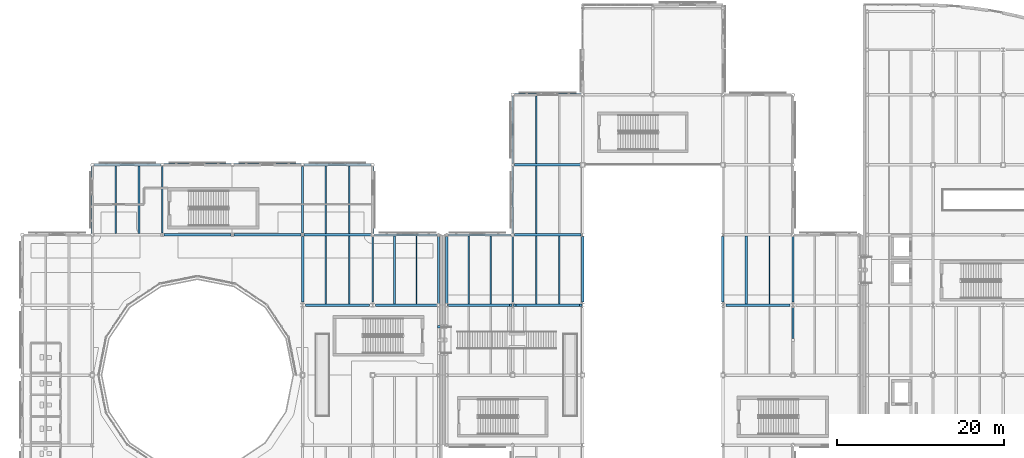
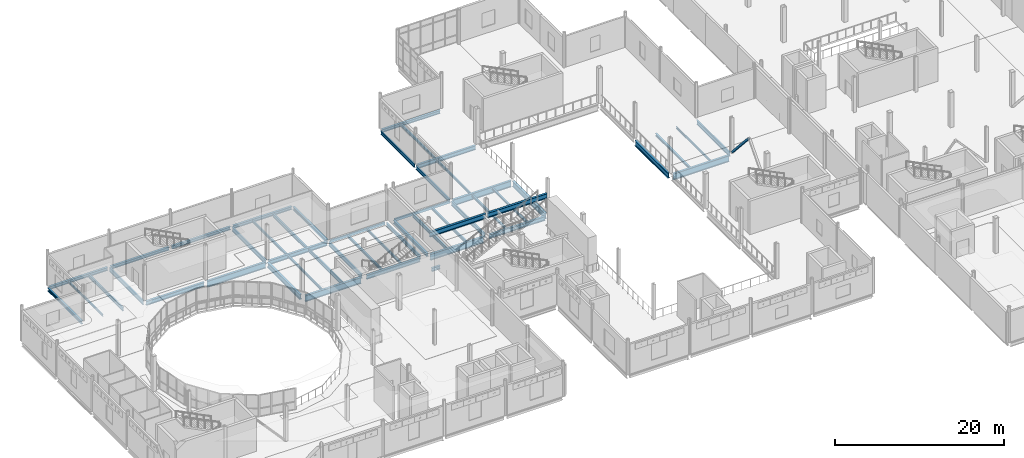
# One storey, part 30 of 104: 50 beams, 1 member.
"""IFC4 building model written with IfcOpenShell, lengths in metres."""

from ifc_helpers import new_model, si_unit, direction, frame, origin, origin_2d, place, context, subcontext, project, spatial, hollow_rectangle, i_section, extrude, material, material_profile, profile_set, type_object, element, save


model = new_model("IFC4")

# Units and contexts
model_context = context("Model", 3, precision=1e-05, world=origin(), true_north=direction((0.0, 1.0)))
body_context = subcontext(model_context, "Body", "Model", "MODEL_VIEW")
ifc_project = project(units=[si_unit("LENGTHUNIT", "METRE"), si_unit("AREAUNIT", "SQUARE_METRE"), si_unit("VOLUMEUNIT", "CUBIC_METRE"), si_unit("PLANEANGLEUNIT", "RADIAN"), si_unit("MASSUNIT", "GRAM", prefix="KILO"), si_unit("THERMODYNAMICTEMPERATUREUNIT", "KELVIN")], contexts=[model_context])

# Site, building, storey
site_placement = place(None, origin())
site = spatial("IfcSite", under=ifc_project, at=site_placement, CompositionType="ELEMENT")
building_placement = place(site_placement, origin())
building = spatial("IfcBuilding", under=site, at=building_placement, Name="Lustrewick Department Store", CompositionType="ELEMENT")
storey_placement = place(building_placement, frame((0.0, 0.0, 11.39990234375)))
storey = spatial("IfcBuildingStorey", under=building, at=storey_placement, Name="L03", CompositionType="ELEMENT", Elevation=11.39990234375)

# Beams
ifc_material_1 = material(Name="Structural steel Q355B", Category="steel")
ifc_material_profile_1 = material_profile(ifc_material_1, i_section(OverallWidth=0.199951171875, OverallDepth=0.5, WebThickness=0.010009765625, FlangeThickness=0.01611328125, FilletRadius=0.01611328125, at=origin_2d()), Name="HN 500x200x10x16")
ifc_profile_set_1 = profile_set([ifc_material_profile_1], Name="Structural steel Q355B")
beam_type_1 = type_object("IfcBeamType", Name="B01", PredefinedType="JOIST", material=ifc_profile_set_1)
beam_1_placement = place(storey_placement, frame((47.60009765625, 75.75, -0.5048828125), z_axis=(0.0, 1.0, 0.0), x_axis=(-1.0, 0.0, 0.0)))
element("IfcBeam", 1, at=beam_1_placement, inside=storey, type_object=beam_type_1, Name="L03 V1 Secondary Joist B01", PredefinedType="JOIST", context=body_context, shape_type="SweptSolid", body=[
    extrude(i_section(OverallWidth=0.199951171875, OverallDepth=0.5, WebThickness=0.010009765625, FlangeThickness=0.01611328125, FilletRadius=0.01611328125, at=origin_2d()), origin(), (0.0, 0.0, 1.0), 8.09912109375),
])
beam_2_placement = place(storey_placement, frame((22.39990234375, 84.14990234375, -0.5048828125), z_axis=(0.0, 1.0, 0.0), x_axis=(-1.0, 0.0, 0.0)))
element("IfcBeam", 2, at=beam_2_placement, inside=storey, type_object=beam_type_1, Name="L03 V1 Secondary Joist B01", PredefinedType="JOIST", context=body_context, shape_type="SweptSolid", body=[
    extrude(i_section(OverallWidth=0.199951171875, OverallDepth=0.5, WebThickness=0.010009765625, FlangeThickness=0.01611328125, FilletRadius=0.01611328125, at=origin_2d()), origin(), (0.0, 0.0, 1.0), 8.10009765625),
])
beam_3_placement = place(storey_placement, frame((47.60009765625, 84.15087890625, -0.5048828125), z_axis=(0.0, 1.0, 0.0), x_axis=(-1.0, 0.0, 0.0)))
element("IfcBeam", 3, at=beam_3_placement, inside=storey, type_object=beam_type_1, Name="L03 V1 Secondary Joist B01", PredefinedType="JOIST", context=body_context, shape_type="SweptSolid", body=[
    extrude(i_section(OverallWidth=0.199951171875, OverallDepth=0.5, WebThickness=0.010009765625, FlangeThickness=0.01611328125, FilletRadius=0.01611328125, at=origin_2d()), origin(), (0.0, 0.0, 1.0), 8.09912109375),
])
beam_4_placement = place(storey_placement, frame((61.933349609375, 75.75, -0.5048828125), z_axis=(0.0, 1.0, 0.0), x_axis=(-1.0, 0.0, 0.0)))
element("IfcBeam", 4, at=beam_4_placement, inside=storey, type_object=beam_type_1, Name="L03 V2 Secondary Joist B01", PredefinedType="JOIST", context=body_context, shape_type="SweptSolid", body=[
    extrude(i_section(OverallWidth=0.199951171875, OverallDepth=0.5, WebThickness=0.010009765625, FlangeThickness=0.01611328125, FilletRadius=0.01611328125, at=origin_2d()), origin(), (0.0, 0.0, 1.0), 8.14990234375),
])
ifc_material_profile_2 = material_profile(ifc_material_1, i_section(OverallWidth=0.199951171875, OverallDepth=0.39990234375, WebThickness=0.008056640625, FlangeThickness=0.012939453125, FilletRadius=0.013916015625, at=origin_2d()), Name="HN 400x200x8x13")
ifc_profile_set_2 = profile_set([ifc_material_profile_2], Name="Structural steel Q355B")
beam_type_2 = type_object("IfcBeamType", Name="B05", PredefinedType="JOIST", material=ifc_profile_set_2)
beam_5_placement = place(storey_placement, frame((53.033203125, 75.7509765625, -0.454833984375), z_axis=(0.0, 1.0, 0.0), x_axis=(-1.0, 0.0, 0.0)))
element("IfcBeam", 5, at=beam_5_placement, inside=storey, type_object=beam_type_2, Name="L03 V1 Secondary Joist B05", PredefinedType="JOIST", context=body_context, shape_type="SweptSolid", body=[
    extrude(i_section(OverallWidth=0.199951171875, OverallDepth=0.39990234375, WebThickness=0.008056640625, FlangeThickness=0.012939453125, FilletRadius=0.013916015625, at=origin_2d()), origin(), (0.0, 0.0, 1.0), 8.14892578125),
])
beam_6_placement = place(storey_placement, frame((64.566650390625, 75.75, -0.454833984375), z_axis=(0.0, 1.0, 0.0), x_axis=(-1.0, 0.0, 0.0)))
element("IfcBeam", 6, at=beam_6_placement, inside=storey, type_object=beam_type_2, Name="L03 V2 Secondary Joist B05", PredefinedType="JOIST", context=body_context, shape_type="SweptSolid", body=[
    extrude(i_section(OverallWidth=0.199951171875, OverallDepth=0.39990234375, WebThickness=0.008056640625, FlangeThickness=0.012939453125, FilletRadius=0.013916015625, at=origin_2d()), origin(), (0.0, 0.0, 1.0), 8.14990234375),
])
ifc_material_profile_3 = material_profile(ifc_material_1, i_section(OverallWidth=0.25, OverallDepth=0.340087890625, WebThickness=0.009033203125, FlangeThickness=0.013916015625, FilletRadius=0.01611328125, at=origin_2d()), Name="HM 340x250x9x14")
ifc_profile_set_3 = profile_set([ifc_material_profile_3], Name="Structural steel Q355B")
beam_type_3 = type_object("IfcBeamType", Name="B08", PredefinedType="JOIST", material=ifc_profile_set_3)
beam_7_placement = place(storey_placement, frame((95.199951171875, 75.7509765625, -0.4248046875), z_axis=(0.0, 1.0, 0.0), x_axis=(-1.0, 0.0, 0.0)))
element("IfcBeam", 7, at=beam_7_placement, inside=storey, type_object=beam_type_3, Name="L03 V2 Secondary Joist B08", PredefinedType="JOIST", context=body_context, shape_type="SweptSolid", body=[
    extrude(i_section(OverallWidth=0.25, OverallDepth=0.340087890625, WebThickness=0.009033203125, FlangeThickness=0.013916015625, FilletRadius=0.01611328125, at=origin_2d()), origin(), (0.0, 0.0, 1.0), 8.09912109375),
])
ifc_material_profile_4 = material_profile(ifc_material_1, i_section(OverallWidth=0.175048828125, OverallDepth=0.35009765625, WebThickness=0.007080078125, FlangeThickness=0.010986328125, FilletRadius=0.012939453125, at=origin_2d()), Name="HN 350x175x7x11")
ifc_profile_set_4 = profile_set([ifc_material_profile_4], Name="Structural steel Q355B")
beam_type_4 = type_object("IfcBeamType", Name="B09", PredefinedType="JOIST", material=ifc_profile_set_4)
beam_8_placement = place(storey_placement, frame((55.666748046875, 75.7509765625, -0.429931640625), z_axis=(0.0, 1.0, 0.0), x_axis=(-1.0, 0.0, 0.0)))
element("IfcBeam", 8, at=beam_8_placement, inside=storey, type_object=beam_type_4, Name="L03 V1 Secondary Joist B09", PredefinedType="JOIST", context=body_context, shape_type="SweptSolid", body=[
    extrude(i_section(OverallWidth=0.175048828125, OverallDepth=0.35009765625, WebThickness=0.007080078125, FlangeThickness=0.010986328125, FilletRadius=0.012939453125, at=origin_2d()), origin(), (0.0, 0.0, 1.0), 8.14892578125),
])
for number, where, z_axis, x_axis, name in (
    (9, (70.0, 75.7509765625, -0.429931640625), (0.0, 1.0, 0.0), (-1.0, 0.0, 0.0), "L03 V2 Secondary Joist B09"),
    (10, (70.0, 84.15087890625, -0.429931640625), (0.0, 1.0, 0.0), (-1.0, 0.0, 0.0), "L03 V2 Secondary Joist B09"),
):
    element("IfcBeam", number, at=place(storey_placement, frame(where, z_axis=z_axis, x_axis=x_axis)), inside=storey, type_object=beam_type_4, Name=name, PredefinedType="JOIST", context=body_context, shape_type="SweptSolid", body=[
        extrude(i_section(OverallWidth=0.175048828125, OverallDepth=0.35009765625, WebThickness=0.007080078125, FlangeThickness=0.010986328125, FilletRadius=0.012939453125, at=origin_2d()), origin(), (0.0, 0.0, 1.0), 8.09814453125),
    ])
beam_9_placement = place(storey_placement, frame((70.0, 92.551025390625, -0.429931640625), z_axis=(0.0, 1.0, 0.0), x_axis=(-1.0, 0.0, 0.0)))
element("IfcBeam", 11, at=beam_9_placement, inside=storey, type_object=beam_type_4, Name="L03 V2 Secondary Joist B09", PredefinedType="JOIST", context=body_context, shape_type="SweptSolid", body=[
    extrude(i_section(OverallWidth=0.175048828125, OverallDepth=0.35009765625, WebThickness=0.007080078125, FlangeThickness=0.010986328125, FilletRadius=0.012939453125, at=origin_2d()), origin(), (0.0, 0.0, 1.0), 8.098876953125),
])
ifc_material_profile_5 = material_profile(ifc_material_1, i_section(OverallWidth=0.174072265625, OverallDepth=0.345947265625, WebThickness=0.006103515625, FlangeThickness=0.009033203125, FilletRadius=0.012939453125, at=origin_2d()), Name="HN 346x174x6x9")
ifc_profile_set_5 = profile_set([ifc_material_profile_5], Name="Structural steel Q355B")
beam_type_5 = type_object("IfcBeamType", Name="B10", PredefinedType="JOIST", material=ifc_profile_set_5)
for number, where, z_axis, x_axis, name in (
    (12, (44.800048828125, 75.75, -0.427978515625), (0.0, 1.0, 0.0), (-1.0, 0.0, 0.0), "L03 V1 Secondary Joist B10"),
    (13, (44.800048828125, 84.15087890625, -0.427978515625), (0.0, 1.0, 0.0), (-1.0, 0.0, 0.0), "L03 V1 Secondary Joist B10"),
):
    element("IfcBeam", number, at=place(storey_placement, frame(where, z_axis=z_axis, x_axis=x_axis)), inside=storey, type_object=beam_type_5, Name=name, PredefinedType="JOIST", context=body_context, shape_type="SweptSolid", body=[
        extrude(i_section(OverallWidth=0.174072265625, OverallDepth=0.345947265625, WebThickness=0.006103515625, FlangeThickness=0.009033203125, FilletRadius=0.012939453125, at=origin_2d()), origin(), (0.0, 0.0, 1.0), 8.09912109375),
    ])
ifc_material_profile_6 = material_profile(ifc_material_1, i_section(OverallWidth=0.14990234375, OverallDepth=0.300048828125, WebThickness=0.006591796875, FlangeThickness=0.009033203125, FilletRadius=0.011962890625, at=origin_2d()), Name="HN 300x150x6.5x9")
ifc_profile_set_6 = profile_set([ifc_material_profile_6], Name="Structural steel Q355B")
beam_type_6 = type_object("IfcBeamType", Name="B11", PredefinedType="JOIST", material=ifc_profile_set_6)
beam_10_placement = place(storey_placement, frame((19.60009765625, 84.14990234375, -0.40478515625), z_axis=(0.0, 1.0, 0.0), x_axis=(-1.0, 0.0, 0.0)))
element("IfcBeam", 14, at=beam_10_placement, inside=storey, type_object=beam_type_6, Name="L03 V1 Secondary Joist B11", PredefinedType="JOIST", context=body_context, shape_type="SweptSolid", body=[
    extrude(i_section(OverallWidth=0.14990234375, OverallDepth=0.300048828125, WebThickness=0.006591796875, FlangeThickness=0.009033203125, FilletRadius=0.011962890625, at=origin_2d()), origin(), (0.0, 0.0, 1.0), 8.10009765625),
])
ifc_material_profile_7 = material_profile(ifc_material_1, i_section(OverallWidth=0.14892578125, OverallDepth=0.298095703125, WebThickness=0.005615234375, FlangeThickness=0.008056640625, FilletRadius=0.011962890625, at=origin_2d()), Name="HN 298x149x5.5x8")
ifc_profile_set_7 = profile_set([ifc_material_profile_7], Name="Structural steel Q355B")
beam_type_7 = type_object("IfcBeamType", Name="B12", PredefinedType="JOIST", material=ifc_profile_set_7)
beam_11_placement = place(storey_placement, frame((98.0, 75.7509765625, -0.40380859375), z_axis=(0.0, 1.0, 0.0), x_axis=(-1.0, 0.0, 0.0)))
element("IfcBeam", 15, at=beam_11_placement, inside=storey, type_object=beam_type_7, Name="L03 V2 Secondary Joist B12", PredefinedType="JOIST", context=body_context, shape_type="SweptSolid", body=[
    extrude(i_section(OverallWidth=0.14892578125, OverallDepth=0.298095703125, WebThickness=0.005615234375, FlangeThickness=0.008056640625, FilletRadius=0.011962890625, at=origin_2d()), origin(), (0.0, 0.0, 1.0), 8.09912109375),
])
ifc_material_profile_8 = material_profile(ifc_material_1, i_section(OverallWidth=0.199951171875, OverallDepth=0.2939453125, WebThickness=0.008056640625, FlangeThickness=0.011962890625, FilletRadius=0.013916015625, at=origin_2d()), Name="HM 294x200x8x12")
ifc_profile_set_8 = profile_set([ifc_material_profile_8], Name="Structural steel Q355B")
beam_type_8 = type_object("IfcBeamType", Name="B13", PredefinedType="JOIST", material=ifc_profile_set_8)
beam_12_placement = place(storey_placement, frame((72.800048828125, 75.7509765625, -0.40185546875), z_axis=(0.0, 1.0, 0.0), x_axis=(-1.0, 0.0, 0.0)))
element("IfcBeam", 16, at=beam_12_placement, inside=storey, type_object=beam_type_8, Name="L03 V2 Secondary Joist B13", PredefinedType="JOIST", context=body_context, shape_type="SweptSolid", body=[
    extrude(i_section(OverallWidth=0.199951171875, OverallDepth=0.2939453125, WebThickness=0.008056640625, FlangeThickness=0.011962890625, FilletRadius=0.013916015625, at=origin_2d()), origin(), (0.0, 0.0, 1.0), 8.09814453125),
])

# Member
ifc_material_2 = material(Name="Structural steel Q355C", Category="steel")
ifc_material_profile_9 = material_profile(ifc_material_2, hollow_rectangle(XDim=0.25, YDim=0.25, WallThickness=0.010009765625, at=origin_2d()), Name="SHS 250x250x10")
ifc_profile_set_9 = profile_set([ifc_material_profile_9], Name="Structural steel Q355C")
member_type = type_object("IfcMemberType", Name="BR07", PredefinedType="BRACE", material=ifc_profile_set_9)
member_placement = place(storey_placement, frame((100.800048828125, 75.406005859375, 0.150146484375), z_axis=(0.0, -0.668542141314, 0.743674260202), x_axis=(1.0, 0.0, 0.0)))
element("IfcMember", 17, at=member_placement, inside=storey, type_object=member_type, Name="L03 V2 Chevron Brace BR07", PredefinedType="BRACE", context=body_context, shape_type="SweptSolid", body=[
    extrude(hollow_rectangle(XDim=0.25, YDim=0.25, WallThickness=0.010009765625, at=origin_2d()), origin(), (0.0, 0.0, 1.0), 5.842529296875),
])

# Beams
ifc_material_profile_10 = material_profile(ifc_material_2, i_section(OverallWidth=0.302001953125, OverallDepth=0.912109375, WebThickness=0.01806640625, FlangeThickness=0.033935546875, FilletRadius=0.02392578125, at=origin_2d()), Name="HN 912x302x18x34")
ifc_profile_set_10 = profile_set([ifc_material_profile_10], Name="Structural steel Q355C")
beam_type_9 = type_object("IfcBeamType", Name="G01", PredefinedType="BEAM", material=ifc_profile_set_10)
beam_13_placement = place(storey_placement, frame((92.77490234375, 75.60009765625, -0.7109375), z_axis=(1.0, 0.0, 0.0), x_axis=(0.0, 1.0, 0.0)))
element("IfcBeam", 18, at=beam_13_placement, inside=storey, type_object=beam_type_9, Name="L03 V2 Girder G01", PredefinedType="BEAM", context=body_context, shape_type="SweptSolid", body=[
    extrude(i_section(OverallWidth=0.302001953125, OverallDepth=0.912109375, WebThickness=0.01806640625, FlangeThickness=0.033935546875, FilletRadius=0.02392578125, at=origin_2d()), origin(), (0.0, 0.0, 1.0), 7.650146484375),
])
beam_14_placement = place(storey_placement, frame((67.403076171875, 84.0, -0.7109375), z_axis=(1.0, 0.0, 0.0), x_axis=(0.0, 1.0, 0.0)))
element("IfcBeam", 19, at=beam_14_placement, inside=storey, type_object=beam_type_9, Name="L03 V2 Girder G01", PredefinedType="BEAM", context=body_context, shape_type="SweptSolid", body=[
    extrude(i_section(OverallWidth=0.302001953125, OverallDepth=0.912109375, WebThickness=0.01806640625, FlangeThickness=0.033935546875, FilletRadius=0.02392578125, at=origin_2d()), origin(), (0.0, 0.0, 1.0), 7.994384765625),
])
ifc_material_profile_11 = material_profile(ifc_material_2, i_section(OverallWidth=0.300048828125, OverallDepth=0.89990234375, WebThickness=0.01611328125, FlangeThickness=0.028076171875, FilletRadius=0.02392578125, at=origin_2d()), Name="HN 900x300x16x28")
ifc_profile_set_11 = profile_set([ifc_material_profile_11], Name="Structural steel Q355C")
beam_type_10 = type_object("IfcBeamType", Name="G02", PredefinedType="BEAM", material=ifc_profile_set_11)
beam_15_placement = place(storey_placement, frame((42.375, 75.60009765625, -0.704833984375), z_axis=(1.0, 0.0, 0.0), x_axis=(0.0, 1.0, 0.0)))
element("IfcBeam", 20, at=beam_15_placement, inside=storey, type_object=beam_type_10, Name="L03 V1 Girder G02", PredefinedType="BEAM", context=body_context, shape_type="SweptSolid", body=[
    extrude(i_section(OverallWidth=0.300048828125, OverallDepth=0.89990234375, WebThickness=0.01611328125, FlangeThickness=0.028076171875, FilletRadius=0.02392578125, at=origin_2d()), origin(), (0.0, 0.0, 1.0), 7.64990234375),
])
beam_16_placement = place(storey_placement, frame((33.802490234375, 84.0, -0.704833984375), z_axis=(1.0, 0.0, 0.0), x_axis=(0.0, 1.0, 0.0)))
element("IfcBeam", 21, at=beam_16_placement, inside=storey, type_object=beam_type_10, Name="L03 V1 Girder G02", PredefinedType="BEAM", context=body_context, shape_type="SweptSolid", body=[
    extrude(i_section(OverallWidth=0.300048828125, OverallDepth=0.89990234375, WebThickness=0.01611328125, FlangeThickness=0.028076171875, FilletRadius=0.02392578125, at=origin_2d()), origin(), (0.0, 0.0, 1.0), 7.9951171875),
])
beam_17_placement = place(storey_placement, frame((59.5029296875, 75.60009765625, -0.704833984375), z_axis=(1.0, 0.0, 0.0), x_axis=(0.0, 1.0, 0.0)))
element("IfcBeam", 22, at=beam_17_placement, inside=storey, type_object=beam_type_10, Name="L03 V2 Girder G02", PredefinedType="BEAM", context=body_context, shape_type="SweptSolid", body=[
    extrude(i_section(OverallWidth=0.300048828125, OverallDepth=0.89990234375, WebThickness=0.01611328125, FlangeThickness=0.028076171875, FilletRadius=0.02392578125, at=origin_2d()), origin(), (0.0, 0.0, 1.0), 7.322021484375),
])
ifc_material_profile_12 = material_profile(ifc_material_1, i_section(OverallWidth=0.300048828125, OverallDepth=0.7919921875, WebThickness=0.013916015625, FlangeThickness=0.02197265625, FilletRadius=0.02197265625, at=origin_2d()), Name="HN 792x300x14x22")
ifc_profile_set_12 = profile_set([ifc_material_profile_12], Name="Structural steel Q355B")
beam_type_11 = type_object("IfcBeamType", Name="G06", PredefinedType="BEAM", material=ifc_profile_set_12)
for number, where, z_axis, x_axis, name in (
    (23, (75.60009765625, 75.97509765625, -0.65087890625), (0.0, 1.0, 0.0), (-1.0, 0.0, 0.0), "L03 V2 Girder G06"),
    (24, (92.39990234375, 75.97509765625, -0.65087890625), (0.0, 1.0, 0.0), (-1.0, 0.0, 0.0), "L03 V2 Girder G06"),
):
    element("IfcBeam", number, at=place(storey_placement, frame(where, z_axis=z_axis, x_axis=x_axis)), inside=storey, type_object=beam_type_11, Name=name, PredefinedType="BEAM", context=body_context, shape_type="SweptSolid", body=[
        extrude(i_section(OverallWidth=0.300048828125, OverallDepth=0.7919921875, WebThickness=0.013916015625, FlangeThickness=0.02197265625, FilletRadius=0.02197265625, at=origin_2d()), origin(), (0.0, 0.0, 1.0), 7.81787109375),
    ])
ifc_material_profile_13 = material_profile(ifc_material_2, i_section(OverallWidth=0.302001953125, OverallDepth=0.7080078125, WebThickness=0.014892578125, FlangeThickness=0.028076171875, FilletRadius=0.02001953125, at=origin_2d()), Name="HN 708x302x15x28")
ifc_profile_set_13 = profile_set([ifc_material_profile_13], Name="Structural steel Q355C")
beam_type_12 = type_object("IfcBeamType", Name="G07", PredefinedType="BEAM", material=ifc_profile_set_13)
beam_18_placement = place(storey_placement, frame((42.0, 75.97509765625, -0.60888671875), z_axis=(0.0, 1.0, 0.0), x_axis=(-1.0, 0.0, 0.0)))
element("IfcBeam", 25, at=beam_18_placement, inside=storey, type_object=beam_type_12, Name="L03 V1 Girder G07", PredefinedType="BEAM", context=body_context, shape_type="SweptSolid", body=[
    extrude(i_section(OverallWidth=0.302001953125, OverallDepth=0.7080078125, WebThickness=0.014892578125, FlangeThickness=0.028076171875, FilletRadius=0.02001953125, at=origin_2d()), origin(), (0.0, 0.0, 1.0), 7.81787109375),
])
ifc_material_profile_14 = material_profile(ifc_material_1, i_section(OverallWidth=0.300048828125, OverallDepth=0.699951171875, WebThickness=0.012939453125, FlangeThickness=0.02392578125, FilletRadius=0.02001953125, at=origin_2d()), Name="HN 700x300x13x24")
ifc_profile_set_14 = profile_set([ifc_material_profile_14], Name="Structural steel Q355B")
beam_type_13 = type_object("IfcBeamType", Name="G08", PredefinedType="BEAM", material=ifc_profile_set_14)
beam_19_placement = place(storey_placement, frame((59.39990234375, 75.60009765625, 2.60009765625), z_axis=(1.0, 0.0, 0.0), x_axis=(0.0, 1.0, 0.0)))
element("IfcBeam", 26, at=beam_19_placement, inside=storey, type_object=beam_type_13, Name="L03 Feature Stair AST03 Stringer Girder EW1.2", PredefinedType="BEAM", context=body_context, shape_type="SweptSolid", body=[
    extrude(i_section(OverallWidth=0.300048828125, OverallDepth=0.699951171875, WebThickness=0.012939453125, FlangeThickness=0.02392578125, FilletRadius=0.02001953125, at=origin_2d()), origin(), (0.0, 0.0, 1.0), 7.7001953125),
])
beam_20_placement = place(storey_placement, frame((67.300048828125, 75.60009765625, 2.60009765625), z_axis=(1.0, 0.0, 0.0), x_axis=(0.0, 1.0, 0.0)))
element("IfcBeam", 27, at=beam_20_placement, inside=storey, type_object=beam_type_13, Name="L03 Feature Stair AST03 Stringer Girder EW2.2", PredefinedType="BEAM", context=body_context, shape_type="SweptSolid", body=[
    extrude(i_section(OverallWidth=0.300048828125, OverallDepth=0.699951171875, WebThickness=0.012939453125, FlangeThickness=0.02392578125, FilletRadius=0.02001953125, at=origin_2d()), origin(), (0.0, 0.0, 1.0), 8.199951171875),
])
ifc_material_profile_15 = material_profile(ifc_material_1, i_section(OverallWidth=0.302001953125, OverallDepth=0.593994140625, WebThickness=0.013916015625, FlangeThickness=0.02294921875, FilletRadius=0.02392578125, at=origin_2d()), Name="HM 594x302x14x23")
ifc_profile_set_15 = profile_set([ifc_material_profile_15], Name="Structural steel Q355B")
beam_type_14 = type_object("IfcBeamType", Name="G10", PredefinedType="BEAM", material=ifc_profile_set_15)
beam_21_placement = place(storey_placement, frame((50.77490234375, 75.60009765625, -0.552001953125), z_axis=(1.0, 0.0, 0.0), x_axis=(0.0, 1.0, 0.0)))
element("IfcBeam", 28, at=beam_21_placement, inside=storey, type_object=beam_type_14, Name="L03 V1 Girder G10", PredefinedType="BEAM", context=body_context, shape_type="SweptSolid", body=[
    extrude(i_section(OverallWidth=0.302001953125, OverallDepth=0.593994140625, WebThickness=0.013916015625, FlangeThickness=0.02294921875, FilletRadius=0.02392578125, at=origin_2d()), origin(), (0.0, 0.0, 1.0), 7.322021484375),
])
beam_22_placement = place(storey_placement, frame((25.402587890625, 84.0, -0.552001953125), z_axis=(1.0, 0.0, 0.0), x_axis=(0.0, 1.0, 0.0)))
element("IfcBeam", 29, at=beam_22_placement, inside=storey, type_object=beam_type_14, Name="L03 V1 Girder G10", PredefinedType="BEAM", context=body_context, shape_type="SweptSolid", body=[
    extrude(i_section(OverallWidth=0.302001953125, OverallDepth=0.593994140625, WebThickness=0.013916015625, FlangeThickness=0.02294921875, FilletRadius=0.02392578125, at=origin_2d()), origin(), (0.0, 0.0, 1.0), 7.994873046875),
])
beam_23_placement = place(storey_placement, frame((42.202392578125, 84.0, -0.552001953125), z_axis=(1.0, 0.0, 0.0), x_axis=(0.0, 1.0, 0.0)))
element("IfcBeam", 30, at=beam_23_placement, inside=storey, type_object=beam_type_14, Name="L03 V1 Girder G10", PredefinedType="BEAM", context=body_context, shape_type="SweptSolid", body=[
    extrude(i_section(OverallWidth=0.302001953125, OverallDepth=0.593994140625, WebThickness=0.013916015625, FlangeThickness=0.02294921875, FilletRadius=0.02392578125, at=origin_2d()), origin(), (0.0, 0.0, 1.0), 7.99462890625),
])
beam_24_placement = place(storey_placement, frame((67.574951171875, 75.60009765625, -0.552001953125), z_axis=(1.0, 0.0, 0.0), x_axis=(0.0, 1.0, 0.0)))
element("IfcBeam", 31, at=beam_24_placement, inside=storey, type_object=beam_type_14, Name="L03 V2 Girder G10", PredefinedType="BEAM", context=body_context, shape_type="SweptSolid", body=[
    extrude(i_section(OverallWidth=0.302001953125, OverallDepth=0.593994140625, WebThickness=0.013916015625, FlangeThickness=0.02294921875, FilletRadius=0.02392578125, at=origin_2d()), origin(), (0.0, 0.0, 1.0), 7.650146484375),
])
beam_25_placement = place(storey_placement, frame((67.388427734375, 92.39990234375, -0.552001953125), z_axis=(1.0, 0.0, 0.0), x_axis=(0.0, 1.0, 0.0)))
element("IfcBeam", 32, at=beam_25_placement, inside=storey, type_object=beam_type_14, Name="L03 V2 Girder G10", PredefinedType="BEAM", context=body_context, shape_type="SweptSolid", body=[
    extrude(i_section(OverallWidth=0.302001953125, OverallDepth=0.593994140625, WebThickness=0.013916015625, FlangeThickness=0.02294921875, FilletRadius=0.02392578125, at=origin_2d()), origin(), (0.0, 0.0, 1.0), 8.011474609375),
])
ifc_material_profile_16 = material_profile(ifc_material_1, i_section(OverallWidth=0.199951171875, OverallDepth=0.60009765625, WebThickness=0.010986328125, FlangeThickness=0.01708984375, FilletRadius=0.01806640625, at=origin_2d()), Name="HN 600x200x11x17")
ifc_profile_set_16 = profile_set([ifc_material_profile_16], Name="Structural steel Q355B")
beam_type_15 = type_object("IfcBeamType", Name="G14", PredefinedType="BEAM", material=ifc_profile_set_16)
beam_26_placement = place(storey_placement, frame((100.800048828125, 75.97509765625, -0.554931640625), z_axis=(0.0, 1.0, 0.0), x_axis=(-1.0, 0.0, 0.0)))
element("IfcBeam", 33, at=beam_26_placement, inside=storey, type_object=beam_type_15, Name="L03 V2 Girder G14", PredefinedType="BEAM", context=body_context, shape_type="SweptSolid", body=[
    extrude(i_section(OverallWidth=0.199951171875, OverallDepth=0.60009765625, WebThickness=0.010986328125, FlangeThickness=0.01708984375, FilletRadius=0.01806640625, at=origin_2d()), origin(), (0.0, 0.0, 1.0), 7.822021484375),
])
ifc_material_profile_17 = material_profile(ifc_material_1, i_section(OverallWidth=0.198974609375, OverallDepth=0.595947265625, WebThickness=0.010009765625, FlangeThickness=0.014892578125, FilletRadius=0.01806640625, at=origin_2d()), Name="HN 596x199x10x15")
ifc_profile_set_17 = profile_set([ifc_material_profile_17], Name="Structural steel Q355B")
beam_type_16 = type_object("IfcBeamType", Name="G15", PredefinedType="BEAM", material=ifc_profile_set_17)
for number, where, z_axis, x_axis, name in (
    (34, (25.199951171875, 84.20703125, -0.552978515625), (0.0, 1.0, 0.0), (-1.0, 0.0, 0.0), "L03 V1 Girder G15"),
    (35, (42.0, 84.20703125, -0.552978515625), (0.0, 1.0, 0.0), (-1.0, 0.0, 0.0), "L03 V1 Girder G15"),
):
    element("IfcBeam", number, at=place(storey_placement, frame(where, z_axis=z_axis, x_axis=x_axis)), inside=storey, type_object=beam_type_16, Name=name, PredefinedType="BEAM", context=body_context, shape_type="SweptSolid", body=[
        extrude(i_section(OverallWidth=0.198974609375, OverallDepth=0.595947265625, WebThickness=0.010009765625, FlangeThickness=0.014892578125, FilletRadius=0.01806640625, at=origin_2d()), origin(), (0.0, 0.0, 1.0), 8.00439453125),
    ])
for number, where, z_axis, x_axis, name in (
    (36, (50.39990234375, 75.97509765625, -0.552978515625), (0.0, 1.0, 0.0), (-1.0, 0.0, 0.0), "L03 V1 Girder G15"),
    (37, (67.199951171875, 75.97509765625, -0.552978515625), (0.0, 1.0, 0.0), (-1.0, 0.0, 0.0), "L03 V2 Girder G15"),
):
    element("IfcBeam", number, at=place(storey_placement, frame(where, z_axis=z_axis, x_axis=x_axis)), inside=storey, type_object=beam_type_16, Name=name, PredefinedType="BEAM", context=body_context, shape_type="SweptSolid", body=[
        extrude(i_section(OverallWidth=0.198974609375, OverallDepth=0.595947265625, WebThickness=0.010009765625, FlangeThickness=0.014892578125, FilletRadius=0.01806640625, at=origin_2d()), origin(), (0.0, 0.0, 1.0), 7.822021484375),
    ])
ifc_material_profile_18 = material_profile(ifc_material_1, i_section(OverallWidth=0.300048828125, OverallDepth=0.488037109375, WebThickness=0.010986328125, FlangeThickness=0.01806640625, FilletRadius=0.02197265625, at=origin_2d()), Name="HM 488x300x11x18")
ifc_profile_set_18 = profile_set([ifc_material_profile_18], Name="Structural steel Q355B")
beam_type_17 = type_object("IfcBeamType", Name="G16", PredefinedType="BEAM", material=ifc_profile_set_18)
beam_27_placement = place(storey_placement, frame((58.199951171875, 73.0, -0.4990234375), z_axis=(1.0, 0.0, 0.0), x_axis=(0.0, 1.0, 0.0)))
element("IfcBeam", 38, at=beam_27_placement, inside=storey, type_object=beam_type_17, Name="L03 Skybridge SB12 Girder 2", PredefinedType="BEAM", context=body_context, shape_type="SweptSolid", body=[
    extrude(i_section(OverallWidth=0.300048828125, OverallDepth=0.488037109375, WebThickness=0.010986328125, FlangeThickness=0.01806640625, FilletRadius=0.02197265625, at=origin_2d()), origin(), (0.0, 0.0, 1.0), 1.14013671875),
])
ifc_material_profile_19 = material_profile(ifc_material_1, i_section(OverallWidth=0.200927734375, OverallDepth=0.506103515625, WebThickness=0.010986328125, FlangeThickness=0.01904296875, FilletRadius=0.01611328125, at=origin_2d()), Name="HN 506x201x11x19")
ifc_profile_set_19 = profile_set([ifc_material_profile_19], Name="Structural steel Q355B")
beam_type_18 = type_object("IfcBeamType", Name="SP01", PredefinedType="SPANDREL", material=ifc_profile_set_19)
for number, where, z_axis, x_axis, name in (
    (39, (58.300048828125, 75.802978515625, -0.5078125), (0.0, 1.0, 0.0), (-1.0, 0.0, 0.0), "L03 V1 Girder SP01"),
    (40, (67.199951171875, 84.202880859375, -0.5078125), (0.0, 1.0, 0.0), (-1.0, 0.0, 0.0), "L03 V2 Girder SP01"),
    (41, (67.199951171875, 92.58837890625, -0.5078125), (0.0, 1.0, 0.0), (-1.0, 0.0, 0.0), "L03 V2 Girder SP01"),
):
    element("IfcBeam", number, at=place(storey_placement, frame(where, z_axis=z_axis, x_axis=x_axis)), inside=storey, type_object=beam_type_18, Name=name, PredefinedType="SPANDREL", context=body_context, shape_type="SweptSolid", body=[
        extrude(i_section(OverallWidth=0.200927734375, OverallDepth=0.506103515625, WebThickness=0.010986328125, FlangeThickness=0.01904296875, FilletRadius=0.01611328125, at=origin_2d()), origin(), (0.0, 0.0, 1.0), 8.008544921875),
    ])
ifc_material_profile_20 = material_profile(ifc_material_1, i_section(OverallWidth=0.300048828125, OverallDepth=0.43994140625, WebThickness=0.010986328125, FlangeThickness=0.01806640625, FilletRadius=0.02001953125, at=origin_2d()), Name="HM 440x300x11x18")
ifc_profile_set_20 = profile_set([ifc_material_profile_20], Name="Structural steel Q355B")
beam_type_19 = type_object("IfcBeamType", Name="SP02", PredefinedType="SPANDREL", material=ifc_profile_set_20)
beam_28_placement = place(storey_placement, frame((16.988525390625, 92.39990234375, -0.474853515625), z_axis=(1.0, 0.0, 0.0), x_axis=(0.0, 1.0, 0.0)))
element("IfcBeam", 42, at=beam_28_placement, inside=storey, type_object=beam_type_19, Name="L03 V1 Girder SP02", PredefinedType="SPANDREL", context=body_context, shape_type="SweptSolid", body=[
    extrude(i_section(OverallWidth=0.300048828125, OverallDepth=0.43994140625, WebThickness=0.010986328125, FlangeThickness=0.01806640625, FilletRadius=0.02001953125, at=origin_2d()), origin(), (0.0, 0.0, 1.0), 8.02294921875),
])
beam_29_placement = place(storey_placement, frame((25.388427734375, 92.39990234375, -0.474853515625), z_axis=(1.0, 0.0, 0.0), x_axis=(0.0, 1.0, 0.0)))
element("IfcBeam", 43, at=beam_29_placement, inside=storey, type_object=beam_type_19, Name="L03 V1 Girder SP02", PredefinedType="SPANDREL", context=body_context, shape_type="SweptSolid", body=[
    extrude(i_section(OverallWidth=0.300048828125, OverallDepth=0.43994140625, WebThickness=0.010986328125, FlangeThickness=0.01806640625, FilletRadius=0.02001953125, at=origin_2d()), origin(), (0.0, 0.0, 1.0), 8.023193359375),
])
for number, where, z_axis, x_axis, name in (
    (44, (33.78857421875, 92.39990234375, -0.474853515625), (1.0, 0.0, 0.0), (0.0, 1.0, 0.0), "L03 V1 Girder SP02"),
    (45, (42.1884765625, 92.39990234375, -0.474853515625), (1.0, 0.0, 0.0), (0.0, 1.0, 0.0), "L03 V1 Girder SP02"),
):
    element("IfcBeam", number, at=place(storey_placement, frame(where, z_axis=z_axis, x_axis=x_axis)), inside=storey, type_object=beam_type_19, Name=name, PredefinedType="SPANDREL", context=body_context, shape_type="SweptSolid", body=[
        extrude(i_section(OverallWidth=0.300048828125, OverallDepth=0.43994140625, WebThickness=0.010986328125, FlangeThickness=0.01806640625, FilletRadius=0.02001953125, at=origin_2d()), origin(), (0.0, 0.0, 1.0), 8.02294921875),
    ])
for number, where, z_axis, x_axis, name in (
    (46, (16.800048828125, 84.202880859375, -0.474853515625), (0.0, 1.0, 0.0), (-1.0, 0.0, 0.0), "L03 V1 Girder SP02"),
    (47, (50.39990234375, 84.202880859375, -0.474853515625), (0.0, 1.0, 0.0), (-1.0, 0.0, 0.0), "L03 V1 Girder SP02"),
):
    element("IfcBeam", number, at=place(storey_placement, frame(where, z_axis=z_axis, x_axis=x_axis)), inside=storey, type_object=beam_type_19, Name=name, PredefinedType="SPANDREL", context=body_context, shape_type="SweptSolid", body=[
        extrude(i_section(OverallWidth=0.300048828125, OverallDepth=0.43994140625, WebThickness=0.010986328125, FlangeThickness=0.01806640625, FilletRadius=0.02001953125, at=origin_2d()), origin(), (0.0, 0.0, 1.0), 8.008544921875),
    ])
beam_30_placement = place(storey_placement, frame((67.403076171875, 100.800048828125, -0.474853515625), z_axis=(1.0, 0.0, 0.0), x_axis=(0.0, 1.0, 0.0)))
element("IfcBeam", 48, at=beam_30_placement, inside=storey, type_object=beam_type_19, Name="L03 V2 Girder SP02", PredefinedType="SPANDREL", context=body_context, shape_type="SweptSolid", body=[
    extrude(i_section(OverallWidth=0.300048828125, OverallDepth=0.43994140625, WebThickness=0.010986328125, FlangeThickness=0.01806640625, FilletRadius=0.02001953125, at=origin_2d()), origin(), (0.0, 0.0, 1.0), 7.993896484375),
])
beam_31_placement = place(storey_placement, frame((59.300048828125, 75.802978515625, -0.474853515625), z_axis=(0.0, 1.0, 0.0), x_axis=(-1.0, 0.0, 0.0)))
element("IfcBeam", 49, at=beam_31_placement, inside=storey, type_object=beam_type_19, Name="L03 V2 Girder SP02", PredefinedType="SPANDREL", context=body_context, shape_type="SweptSolid", body=[
    extrude(i_section(OverallWidth=0.300048828125, OverallDepth=0.43994140625, WebThickness=0.010986328125, FlangeThickness=0.01806640625, FilletRadius=0.02001953125, at=origin_2d()), origin(), (0.0, 0.0, 1.0), 8.008544921875),
])
ifc_material_profile_21 = material_profile(ifc_material_2, hollow_rectangle(XDim=0.199951171875, YDim=0.35009765625, WallThickness=0.011962890625, at=origin_2d()), Name="RHS 350x200x12")
ifc_profile_set_21 = profile_set([ifc_material_profile_21], Name="Structural steel Q355C")
beam_type_20 = type_object("IfcBeamType", Name="SP03", PredefinedType="SPANDREL", material=ifc_profile_set_21)
for number, where, z_axis, x_axis, name in (
    (50, (50.60302734375, 84.0, -0.429931640625), (1.0, 0.0, 0.0), (0.0, 1.0, 0.0), "L03 V1 Girder SP03"),
    (51, (59.488525390625, 84.0, -0.429931640625), (1.0, 0.0, 0.0), (0.0, 1.0, 0.0), "L03 V2 Girder SP03"),
):
    element("IfcBeam", number, at=place(storey_placement, frame(where, z_axis=z_axis, x_axis=x_axis)), inside=storey, type_object=beam_type_20, Name=name, PredefinedType="SPANDREL", context=body_context, shape_type="SweptSolid", body=[
        extrude(hollow_rectangle(XDim=0.199951171875, YDim=0.35009765625, WallThickness=0.011962890625, at=origin_2d()), origin(), (0.0, 0.0, 1.0), 7.508544921875),
    ])

save(model, "model.ifc")
